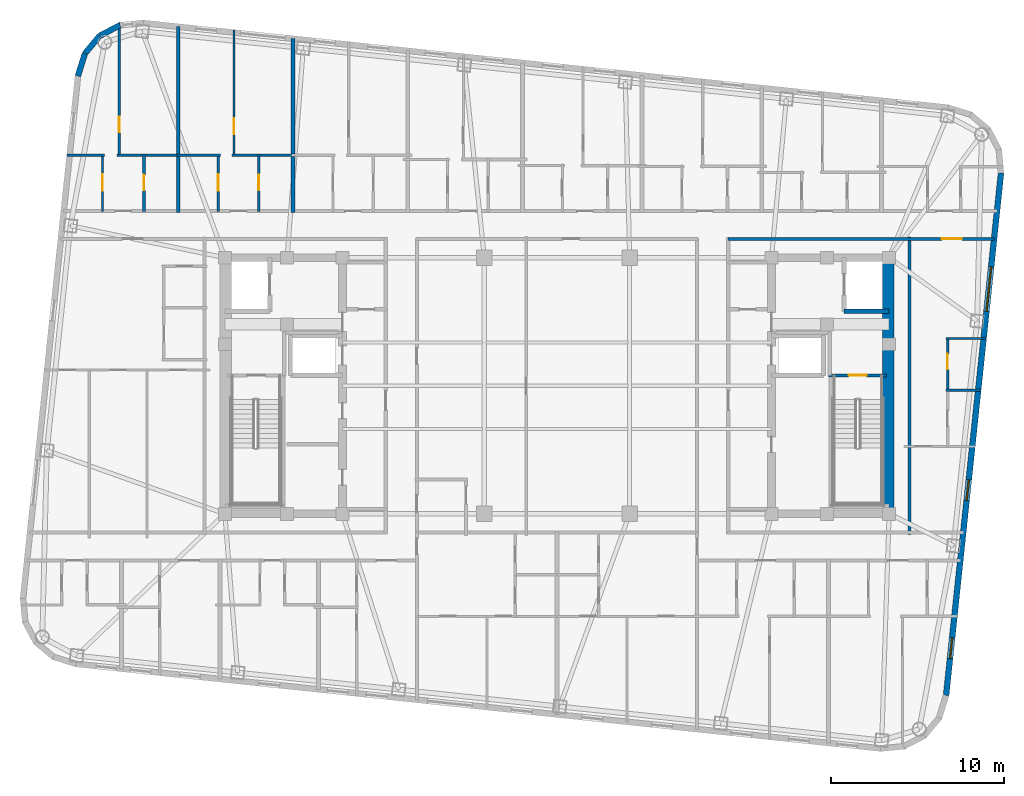
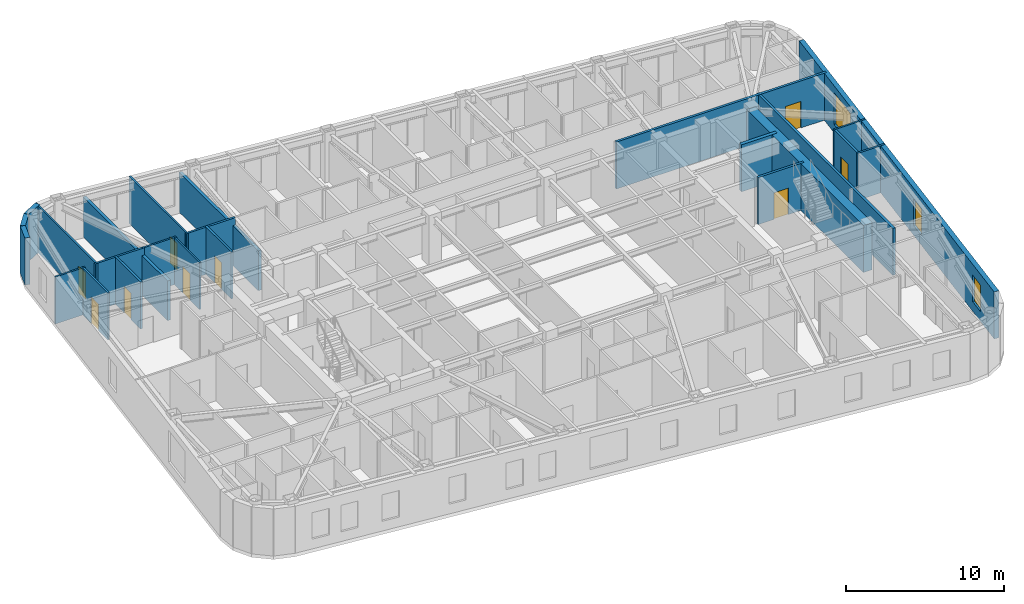
# One storey, part 7 of 11: 24 walls, 9 doors, 3 windows, 12 openings.
"""IFC4 building model written with IfcOpenShell, lengths in metres."""

from ifc_helpers import new_model, si_unit, direction, frame, frame_2d, origin, place, context, subcontext, project, spatial, rectangle, extrude, material, layer, layer_set, type_object, element, fill, save


model = new_model("IFC4")

# Units and contexts
model_context = context("Model", 3, precision=1e-05, world=origin(), true_north=direction((0.0, 1.0)))
body_context = subcontext(model_context, "Body", "Model", "MODEL_VIEW")
ifc_project = project(units=[si_unit("LENGTHUNIT", "METRE"), si_unit("AREAUNIT", "SQUARE_METRE"), si_unit("VOLUMEUNIT", "CUBIC_METRE"), si_unit("PLANEANGLEUNIT", "RADIAN"), si_unit("MASSUNIT", "GRAM", prefix="KILO")], contexts=[model_context])

# Site, building, storey
site_placement = place(None, origin())
site = spatial("IfcSite", under=ifc_project, at=site_placement, CompositionType="ELEMENT")
building_placement = place(site_placement, origin())
building = spatial("IfcBuilding", under=site, at=building_placement, Name="Voryun Gate Residences", CompositionType="ELEMENT")
storey_placement = place(building_placement, frame((0.0, 0.0, 299.0)))
storey = spatial("IfcBuildingStorey", under=building, at=storey_placement, Name="L74", CompositionType="ELEMENT", Elevation=299.0)

# Wall
ifc_material_1 = material(Name="Concrete C60/75", Category="concrete")
ifc_layer_1 = layer(ifc_material_1, 0.64990234375, Name="CW_CORE_650")
ifc_layer_set_1 = layer_set([ifc_layer_1], Name="Concrete C60/75")
wall_type_1 = type_object("IfcWallType", Name="CW_CORE_650", PredefinedType="SHEAR", material=ifc_layer_set_1)
wall_1_placement = place(storey_placement, frame((19.14501953125, -7.39990234375, 0.0), z_axis=(0.0, 0.0, 1.0), x_axis=(0.0, 1.0, 0.0)))
element("IfcWall", 1, at=wall_1_placement, inside=storey, type_object=wall_type_1, Name="L74 Core shear wall CW-L74-EE", PredefinedType="SHEAR", context=body_context, shape_type="SweptSolid", body=[
    extrude(rectangle(XDim=14.7998046875, YDim=0.64990234375, at=frame_2d((7.39990234375, 0.0))), origin(), (0.0, 0.0, 1.0), 3.635009765625),
])

# Wall, opening, door
ifc_material_2 = material(Name="Gypsum acoustic fireboard")
ifc_layer_2 = layer(ifc_material_2, 0.179931640625, Name="W_CORR_RATED_180")
ifc_layer_set_2 = layer_set([ifc_layer_2], Name="Gypsum acoustic fireboard")
wall_type_2 = type_object("IfcWallType", Name="W_CORR_RATED_180", PredefinedType="PARTITIONING", material=ifc_layer_set_2)
wall_2_placement = place(storey_placement, frame((15.699951171875, 0.60009765625, 0.0), z_axis=(0.0, 0.0, 1.0), x_axis=(1.0, 0.0, 0.0)))
wall_2 = element("IfcWall", 2, at=wall_2_placement, inside=storey, type_object=wall_type_2, Name="Partition wall WP-L74-STV-E", PredefinedType="PARTITIONING", context=body_context, shape_type="SweptSolid", body=[
    extrude(rectangle(XDim=3.360107421875, YDim=0.179931640625, at=frame_2d((1.68017578125, 0.0))), origin(), (0.0, 0.0, 1.0), 3.635009765625),
])
opening_1_placement = place(wall_2_placement, frame((1.155029296875, 0.0, 0.0)))
opening_1 = element("IfcOpeningElement", 3, at=opening_1_placement, cuts=wall_2, Name="Opening D-FD60-1", PredefinedType="OPENING", context=body_context, shape_type="SweptSolid", body=[
    extrude(rectangle(XDim=1.050048828125, YDim=2.050048828125, at=frame_2d((0.52490234375, 1.02490234375))), frame((0.0, 0.099853515625, 0.0), z_axis=(0.0, -1.0, 0.0), x_axis=(1.0, 0.0, 0.0)), (0.0, 0.0, 1.0), 0.199951171875),
])
ifc_material_3 = material(Name="Painted steel fire door", Category="steel")
door_type_1 = type_object("IfcDoorType", Name="DR_FD60_STAIR_1050", OperationType="NOTDEFINED", PredefinedType="DOOR", material=ifc_material_3)
door_1_placement = place(opening_1_placement, origin())
door_1 = element("IfcDoor", 4, at=door_1_placement, inside=storey, type_object=door_type_1, Name="Door DR-L74-ST-E", OperationType="SINGLE_SWING_RIGHT", OverallHeight=2.050048828125, OverallWidth=1.050048828125, PredefinedType="DOOR", context=body_context, shape_type="SweptSolid", body=[
    extrude(rectangle(XDim=1.050048828125, YDim=2.050048828125, at=frame_2d((0.52490234375, 1.02490234375))), frame((0.0, 0.02490234375, 0.0), z_axis=(0.0, -1.0, 0.0), x_axis=(1.0, 0.0, 0.0)), (0.0, 0.0, 1.0), 0.050048828125),
])
fill(opening_1, door_1)

wall_3_placement = place(storey_placement, frame((9.8798828125, 8.489990234375, 0.0), z_axis=(0.0, 0.0, 1.0), x_axis=(1.0, 0.0, 0.0)))
wall_3 = element("IfcWall", 5, at=wall_3_placement, inside=storey, type_object=wall_type_2, Name="Partition wall WP-L74-CWING-EN", PredefinedType="PARTITIONING", context=body_context, shape_type="SweptSolid", body=[
    extrude(rectangle(XDim=15.39013671875, YDim=0.179931640625, at=frame_2d((7.695068359375, 0.0))), origin(), (0.0, 0.0, 1.0), 3.635009765625),
])
opening_2_placement = place(wall_3_placement, frame((12.36962890625, 0.0, 0.0)))
opening_2 = element("IfcOpeningElement", 6, at=opening_2_placement, cuts=wall_3, Name="Opening D-UNIT-1", PredefinedType="OPENING", context=body_context, shape_type="SweptSolid", body=[
    extrude(rectangle(XDim=1.14990234375, YDim=2.050048828125, at=frame_2d((0.574951171875, 1.02490234375))), frame((0.0, 0.099853515625, 0.0), z_axis=(0.0, -1.0, 0.0), x_axis=(1.0, 0.0, 0.0)), (0.0, 0.0, 1.0), 0.199951171875),
])
ifc_material_4 = material(Name="Armoured timber-clad fire door", Category="wood")
door_type_2 = type_object("IfcDoorType", Name="DR_UNIT_ENTRY_1150", OperationType="NOTDEFINED", PredefinedType="DOOR", material=ifc_material_4)
door_2_placement = place(opening_2_placement, origin())
door_2 = element("IfcDoor", 7, at=door_2_placement, inside=storey, type_object=door_type_2, Name="Door DR-L74-EE1N", OperationType="SINGLE_SWING_LEFT", OverallHeight=2.050048828125, OverallWidth=1.14990234375, PredefinedType="DOOR", context=body_context, shape_type="SweptSolid", body=[
    extrude(rectangle(XDim=1.14990234375, YDim=2.050048828125, at=frame_2d((0.574951171875, 1.02490234375))), frame((0.0, 0.02490234375, 0.0), z_axis=(0.0, -1.0, 0.0), x_axis=(1.0, 0.0, 0.0)), (0.0, 0.0, 1.0), 0.050048828125),
])
fill(opening_2, door_2)

# Walls
wall_4_placement = place(storey_placement, frame((20.3701171875, -8.610107421875, 0.0), z_axis=(0.0, 0.0, 1.0), x_axis=(0.0, 1.0, 0.0)))
element("IfcWall", 8, at=wall_4_placement, inside=storey, type_object=wall_type_2, Name="Partition wall WP-L74-ECOR", PredefinedType="PARTITIONING", context=body_context, shape_type="SweptSolid", body=[
    extrude(rectangle(XDim=17.22021484375, YDim=0.179931640625, at=frame_2d((8.610107421875, 0.0))), origin(), (0.0, 0.0, 1.0), 3.635009765625),
])
ifc_material_5 = material(Name="Charcoal terracotta masonry", Category="masonry")
ifc_layer_3 = layer(ifc_material_5, 0.340087890625, Name="W_EXT_TERRACOTTA_340")
ifc_layer_set_3 = layer_set([ifc_layer_3], Name="Charcoal terracotta masonry")
wall_type_3 = type_object("IfcWallType", Name="W_EXT_TERRACOTTA_340", PredefinedType="ELEMENTEDWALL", material=ifc_layer_set_3)
wall_5_placement = place(storey_placement, frame((-27.69580078125, 17.904541015625, 0.0), z_axis=(0.0, 0.0, 1.0), x_axis=(0.296416228123, 0.955058856671, 0.0)))
element("IfcWall", 9, at=wall_5_placement, inside=storey, type_object=wall_type_3, Name="Exterior wall WEXT-L74-07", PredefinedType="ELEMENTEDWALL", context=body_context, shape_type="SweptSolid", body=[
    extrude(rectangle(XDim=1.35400390625, YDim=0.340087890625, at=frame_2d((0.677001953125, 0.0))), origin(), (0.0, 0.0, 1.0), 3.635009765625),
])
wall_6_placement = place(storey_placement, frame((-27.29443359375, 19.19775390625, 0.0), z_axis=(0.0, 0.0, 1.0), x_axis=(0.639501603217, 0.768789762863, 0.0)))
element("IfcWall", 10, at=wall_6_placement, inside=storey, type_object=wall_type_3, Name="Exterior wall WEXT-L74-08", PredefinedType="ELEMENTEDWALL", context=body_context, shape_type="SweptSolid", body=[
    extrude(rectangle(XDim=1.3369140625, YDim=0.340087890625, at=frame_2d((0.66845703125, 0.0))), origin(), (0.0, 0.0, 1.0), 3.635009765625),
])
wall_7_placement = place(storey_placement, frame((-26.439453125, 20.2255859375, 0.0), z_axis=(0.0, 0.0, 1.0), x_axis=(0.884922182678, 0.465738908193, 0.0)))
element("IfcWall", 11, at=wall_7_placement, inside=storey, type_object=wall_type_3, Name="Exterior wall WEXT-L74-09", PredefinedType="ELEMENTEDWALL", context=body_context, shape_type="SweptSolid", body=[
    extrude(rectangle(XDim=1.337158203125, YDim=0.340087890625, at=frame_2d((0.66845703125, 0.0))), origin(), (0.0, 0.0, 1.0), 3.635009765625),
])

# Wall, openings, windows
wall_8_placement = place(storey_placement, frame((25.670166015625, 12.295654296875, 0.0), z_axis=(0.0, 0.0, 1.0), x_axis=(-0.104533282919, -0.994521388791, 0.0)))
wall_8 = element("IfcWall", 12, at=wall_8_placement, inside=storey, type_object=wall_type_3, Name="Exterior wall WEXT-L74-16", PredefinedType="ELEMENTEDWALL", context=body_context, shape_type="SweptSolid", body=[
    extrude(rectangle(XDim=30.366455078125, YDim=0.340087890625, at=frame_2d((15.18310546875, 0.0))), origin(), (0.0, 0.0, 1.0), 3.635009765625),
])
opening_3_placement = place(wall_8_placement, frame((5.441650390625, 0.0, 0.64990234375)))
opening_3 = element("IfcOpeningElement", 13, at=opening_3_placement, cuts=wall_8, Name="Opening WN4", PredefinedType="OPENING", context=body_context, shape_type="SweptSolid", body=[
    extrude(rectangle(XDim=2.60009765625, YDim=2.449951171875, at=frame_2d((1.300048828125, 1.22509765625))), frame((0.0, 0.179931640625, 0.0), z_axis=(0.0, -1.0, 0.0), x_axis=(1.0, 0.0, 0.0)), (0.0, 0.0, 1.0), 0.360107421875),
])
opening_4_placement = place(wall_8_placement, frame((27.0166015625, 0.0, 0.75)))
opening_4 = element("IfcOpeningElement", 14, at=opening_4_placement, cuts=wall_8, Name="Opening WN6", PredefinedType="OPENING", context=body_context, shape_type="SweptSolid", body=[
    extrude(rectangle(XDim=1.199951171875, YDim=2.050048828125, at=frame_2d((0.60009765625, 1.02490234375))), frame((0.0, 0.179931640625, 0.0), z_axis=(0.0, -1.0, 0.0), x_axis=(1.0, 0.0, 0.0)), (0.0, 0.0, 1.0), 0.360107421875),
])
opening_5_placement = place(wall_8_placement, frame((17.828857421875, 0.0, 0.75)))
opening_5 = element("IfcOpeningElement", 15, at=opening_5_placement, cuts=wall_8, Name="Opening WN6", PredefinedType="OPENING", context=body_context, shape_type="SweptSolid", body=[
    extrude(rectangle(XDim=1.199951171875, YDim=2.050048828125, at=frame_2d((0.60009765625, 1.02490234375))), frame((0.0, 0.179931640625, 0.0), z_axis=(0.0, -1.0, 0.0), x_axis=(1.0, 0.0, 0.0)), (0.0, 0.0, 1.0), 0.360107421875),
])
ifc_material_6 = material(Name="Laminated low-E glass", Category="glass")
window_type_1 = type_object("IfcWindowType", Name="WN_PENT_TALL_2600", PartitioningType="SINGLE_PANEL", PredefinedType="WINDOW", material=ifc_material_6)
window_1_placement = place(opening_3_placement, origin())
window_1 = element("IfcWindow", 16, at=window_1_placement, inside=storey, type_object=window_type_1, Name="Window WN-WEXT-L74-16-01", OverallHeight=2.449951171875, OverallWidth=2.60009765625, PartitioningType="SINGLE_PANEL", PredefinedType="WINDOW", context=body_context, shape_type="SweptSolid", body=[
    extrude(rectangle(XDim=2.60009765625, YDim=2.449951171875, at=frame_2d((1.300048828125, 1.22509765625))), frame((0.0, 0.030029296875, 0.0), z_axis=(0.0, -1.0, 0.0), x_axis=(1.0, 0.0, 0.0)), (0.0, 0.0, 1.0), 0.06005859375),
])
fill(opening_3, window_1)
ifc_material_7 = material(Name="Laminated low-E glass", Category="glass")
window_type_2 = type_object("IfcWindowType", Name="WN_POD_SLOT_1200", PartitioningType="SINGLE_PANEL", PredefinedType="WINDOW", material=ifc_material_7)
window_2_placement = place(opening_4_placement, origin())
window_2 = element("IfcWindow", 17, at=window_2_placement, inside=storey, type_object=window_type_2, Name="Window WN-L74-DWFIX-24", OverallHeight=2.050048828125, OverallWidth=1.199951171875, PartitioningType="SINGLE_PANEL", PredefinedType="WINDOW", context=body_context, shape_type="SweptSolid", body=[
    extrude(rectangle(XDim=1.199951171875, YDim=2.050048828125, at=frame_2d((0.60009765625, 1.02490234375))), frame((0.0, 0.030029296875, 0.0), z_axis=(0.0, -1.0, 0.0), x_axis=(1.0, 0.0, 0.0)), (0.0, 0.0, 1.0), 0.06005859375),
])
fill(opening_4, window_2)
window_3_placement = place(opening_5_placement, origin())
window_3 = element("IfcWindow", 18, at=window_3_placement, inside=storey, type_object=window_type_2, Name="Window WN-L74-DWFIX-29", OverallHeight=2.050048828125, OverallWidth=1.199951171875, PartitioningType="SINGLE_PANEL", PredefinedType="WINDOW", context=body_context, shape_type="SweptSolid", body=[
    extrude(rectangle(XDim=1.199951171875, YDim=2.050048828125, at=frame_2d((0.60009765625, 1.02490234375))), frame((0.0, 0.030029296875, 0.0), z_axis=(0.0, -1.0, 0.0), x_axis=(1.0, 0.0, 0.0)), (0.0, 0.0, 1.0), 0.06005859375),
])
fill(opening_5, window_3)

# Walls
ifc_material_8 = material(Name="Concrete C40/50", Category="concrete")
ifc_layer_4 = layer(ifc_material_8, 0.219970703125, Name="W_PARTY_ACOUSTIC_220")
ifc_layer_set_4 = layer_set([ifc_layer_4], Name="Concrete C40/50")
wall_type_4 = type_object("IfcWallType", Name="W_PARTY_ACOUSTIC_220", PredefinedType="PARTITIONING", material=ifc_layer_set_4)
wall_9_placement = place(storey_placement, frame((-21.89111328125, 10.02001953125, 0.0), z_axis=(0.0, 0.0, 1.0), x_axis=(0.0, 1.0, 0.0)))
element("IfcWall", 19, at=wall_9_placement, inside=storey, type_object=wall_type_4, Name="Partition wall WP-L74-NPTY-1", PredefinedType="PARTITIONING", context=body_context, shape_type="SweptSolid", body=[
    extrude(rectangle(XDim=10.740234375, YDim=0.219970703125, at=frame_2d((5.3701171875, 0.0))), origin(), (0.0, 0.0, 1.0), 3.074951171875),
])
wall_10_placement = place(storey_placement, frame((-15.260009765625, 10.02001953125, 0.0), z_axis=(0.0, 0.0, 1.0), x_axis=(0.0, 1.0, 0.0)))
element("IfcWall", 20, at=wall_10_placement, inside=storey, type_object=wall_type_4, Name="Partition wall WP-L74-NPTY-2", PredefinedType="PARTITIONING", context=body_context, shape_type="SweptSolid", body=[
    extrude(rectangle(XDim=10.043212890625, YDim=0.219970703125, at=frame_2d((5.021484375, 0.0))), origin(), (0.0, 0.0, 1.0), 3.074951171875),
])
ifc_material_9 = material(Name="Concrete C50/60", Category="concrete")
ifc_layer_5 = layer(ifc_material_9, 0.25, Name="W_SHAFT_RC250")
ifc_layer_set_5 = layer_set([ifc_layer_5], Name="Concrete C50/60")
wall_type_5 = type_object("IfcWallType", Name="W_SHAFT_RC250", PredefinedType="SOLIDWALL", material=ifc_layer_set_5)
wall_11_placement = place(storey_placement, frame((16.60009765625, 4.300048828125, 0.0), z_axis=(0.0, 0.0, 1.0), x_axis=(1.0, 0.0, 0.0)))
element("IfcWall", 21, at=wall_11_placement, inside=storey, type_object=wall_type_5, Name="Lift shaft wall WSH-L74-EL-FF-E1-S", PredefinedType="SOLIDWALL", context=body_context, shape_type="SweptSolid", body=[
    extrude(rectangle(XDim=2.599853515625, YDim=0.25, at=frame_2d((1.2998046875, 0.0))), origin(), (0.0, 0.0, 1.0), 3.635009765625),
])

# Wall, opening, door
ifc_material_10 = material(Name="Gypsum acoustic partition")
ifc_layer_6 = layer(ifc_material_10, 0.125, Name="W_UNIT_PART_125")
ifc_layer_set_6 = layer_set([ifc_layer_6], Name="Gypsum acoustic partition")
wall_type_6 = type_object("IfcWallType", Name="W_UNIT_PART_125", PredefinedType="PARTITIONING", material=ifc_layer_set_6)
wall_12_placement = place(storey_placement, frame((-25.301025390625, 13.239990234375, 0.0), z_axis=(0.0, 0.0, 1.0), x_axis=(0.0, 1.0, 0.0)))
wall_12 = element("IfcWall", 22, at=wall_12_placement, inside=storey, type_object=wall_type_6, Name="Partition wall WP-L74-N1-OVR", PredefinedType="PARTITIONING", context=body_context, shape_type="SweptSolid", body=[
    extrude(rectangle(XDim=7.751220703125, YDim=0.125, at=frame_2d((3.87548828125, 0.0))), origin(), (0.0, 0.0, 1.0), 3.635009765625),
])
opening_6_placement = place(wall_12_placement, frame((1.410400390625, 0.0, 0.0)))
opening_6 = element("IfcOpeningElement", 23, at=opening_6_placement, cuts=wall_12, Name="Opening D-INT-2", PredefinedType="OPENING", context=body_context, shape_type="SweptSolid", body=[
    extrude(rectangle(XDim=0.89990234375, YDim=2.050048828125, at=frame_2d((0.449951171875, 1.02490234375))), frame((0.0, 0.072509765625, 0.0), z_axis=(0.0, -1.0, 0.0), x_axis=(1.0, 0.0, 0.0)), (0.0, 0.0, 1.0), 0.14501953125),
])
ifc_material_11 = material(Name="Architectural oak veneer")
door_type_3 = type_object("IfcDoorType", Name="DR_INT_BATH_900", OperationType="NOTDEFINED", PredefinedType="DOOR", material=ifc_material_11)
door_3_placement = place(opening_6_placement, origin())
door_3 = element("IfcDoor", 24, at=door_3_placement, inside=storey, type_object=door_type_3, Name="Door DR-L74-N1-DMB", OperationType="SINGLE_SWING_RIGHT", OverallHeight=2.050048828125, OverallWidth=0.89990234375, PredefinedType="DOOR", context=body_context, shape_type="SweptSolid", body=[
    extrude(rectangle(XDim=0.89990234375, YDim=2.050048828125, at=frame_2d((0.449951171875, 1.02490234375))), frame((0.0, 0.02490234375, 0.0), z_axis=(0.0, -1.0, 0.0), x_axis=(1.0, 0.0, 0.0)), (0.0, 0.0, 1.0), 0.050048828125),
])
fill(opening_6, door_3)

wall_13_placement = place(storey_placement, frame((-26.27099609375, 10.080078125, 0.0), z_axis=(0.0, 0.0, 1.0), x_axis=(0.0, 1.0, 0.0)))
wall_13 = element("IfcWall", 25, at=wall_13_placement, inside=storey, type_object=wall_type_6, Name="Partition wall WP-L74-N1-IVK", PredefinedType="PARTITIONING", context=body_context, shape_type="SweptSolid", body=[
    extrude(rectangle(XDim=3.31982421875, YDim=0.125, at=frame_2d((1.659912109375, 0.0))), origin(), (0.0, 0.0, 1.0), 3.635009765625),
])
opening_7_placement = place(wall_13_placement, frame((1.18505859375, 0.0, 0.0)))
opening_7 = element("IfcOpeningElement", 26, at=opening_7_placement, cuts=wall_13, Name="Opening D-INT-1", PredefinedType="OPENING", context=body_context, shape_type="SweptSolid", body=[
    extrude(rectangle(XDim=0.949951171875, YDim=2.050048828125, at=frame_2d((0.47509765625, 1.02490234375))), frame((0.0, 0.072509765625, 0.0), z_axis=(0.0, -1.0, 0.0), x_axis=(1.0, 0.0, 0.0)), (0.0, 0.0, 1.0), 0.14501953125),
])
ifc_material_12 = material(Name="Architectural oak veneer")
door_type_4 = type_object("IfcDoorType", Name="DR_INT_ROOM_950", OperationType="NOTDEFINED", PredefinedType="DOOR", material=ifc_material_12)
door_4_placement = place(opening_7_placement, origin())
door_4 = element("IfcDoor", 27, at=door_4_placement, inside=storey, type_object=door_type_4, Name="Door DR-L74-N1-DK", OperationType="SINGLE_SWING_LEFT", OverallHeight=2.050048828125, OverallWidth=0.949951171875, PredefinedType="DOOR", context=body_context, shape_type="SweptSolid", body=[
    extrude(rectangle(XDim=0.949951171875, YDim=2.050048828125, at=frame_2d((0.47509765625, 1.02490234375))), frame((0.0, 0.02490234375, 0.0), z_axis=(0.0, -1.0, 0.0), x_axis=(1.0, 0.0, 0.0)), (0.0, 0.0, 1.0), 0.050048828125),
])
fill(opening_7, door_4)

# Wall
wall_14_placement = place(storey_placement, frame((-28.32861328125, 13.320068359375, 0.0), z_axis=(0.0, 0.0, 1.0), x_axis=(1.0, 0.0, 0.0)))
element("IfcWall", 28, at=wall_14_placement, inside=storey, type_object=wall_type_6, Name="Partition wall WP-L74-N1-HZK", PredefinedType="PARTITIONING", context=body_context, shape_type="SweptSolid", body=[
    extrude(rectangle(XDim=2.177734375, YDim=0.125, at=frame_2d((1.0888671875, 0.0))), origin(), (0.0, 0.0, 1.0), 3.635009765625),
])

# Wall, opening, door
wall_15_placement = place(storey_placement, frame((-18.669921875, 13.239990234375, 0.0), z_axis=(0.0, 0.0, 1.0), x_axis=(0.0, 1.0, 0.0)))
wall_15 = element("IfcWall", 29, at=wall_15_placement, inside=storey, type_object=wall_type_6, Name="Partition wall WP-L74-N2-OVR", PredefinedType="PARTITIONING", context=body_context, shape_type="SweptSolid", body=[
    extrude(rectangle(XDim=7.33251953125, YDim=0.125, at=frame_2d((3.666259765625, 0.0))), origin(), (0.0, 0.0, 1.0), 3.635009765625),
])
opening_8_placement = place(wall_15_placement, frame((1.309814453125, 0.0, 0.0)))
opening_8 = element("IfcOpeningElement", 30, at=opening_8_placement, cuts=wall_15, Name="Opening D-INT-2", PredefinedType="OPENING", context=body_context, shape_type="SweptSolid", body=[
    extrude(rectangle(XDim=0.89990234375, YDim=2.050048828125, at=frame_2d((0.449951171875, 1.02490234375))), frame((0.0, 0.072509765625, 0.0), z_axis=(0.0, -1.0, 0.0), x_axis=(1.0, 0.0, 0.0)), (0.0, 0.0, 1.0), 0.14501953125),
])
door_5_placement = place(opening_8_placement, origin())
door_5 = element("IfcDoor", 31, at=door_5_placement, inside=storey, type_object=door_type_3, Name="Door DR-L74-N2-DMB", OperationType="SINGLE_SWING_RIGHT", OverallHeight=2.050048828125, OverallWidth=0.89990234375, PredefinedType="DOOR", context=body_context, shape_type="SweptSolid", body=[
    extrude(rectangle(XDim=0.89990234375, YDim=2.050048828125, at=frame_2d((0.449951171875, 1.02490234375))), frame((0.0, 0.02490234375, 0.0), z_axis=(0.0, -1.0, 0.0), x_axis=(1.0, 0.0, 0.0)), (0.0, 0.0, 1.0), 0.050048828125),
])
fill(opening_8, door_5)

wall_16_placement = place(storey_placement, frame((-19.5810546875, 10.080078125, 0.0), z_axis=(0.0, 0.0, 1.0), x_axis=(0.0, 1.0, 0.0)))
wall_16 = element("IfcWall", 32, at=wall_16_placement, inside=storey, type_object=wall_type_6, Name="Partition wall WP-L74-N2-IVK", PredefinedType="PARTITIONING", context=body_context, shape_type="SweptSolid", body=[
    extrude(rectangle(XDim=3.31982421875, YDim=0.125, at=frame_2d((1.659912109375, 0.0))), origin(), (0.0, 0.0, 1.0), 3.635009765625),
])
opening_9_placement = place(wall_16_placement, frame((1.18505859375, 0.0, 0.0)))
opening_9 = element("IfcOpeningElement", 33, at=opening_9_placement, cuts=wall_16, Name="Opening D-INT-1", PredefinedType="OPENING", context=body_context, shape_type="SweptSolid", body=[
    extrude(rectangle(XDim=0.949951171875, YDim=2.050048828125, at=frame_2d((0.47509765625, 1.02490234375))), frame((0.0, 0.072509765625, 0.0), z_axis=(0.0, -1.0, 0.0), x_axis=(1.0, 0.0, 0.0)), (0.0, 0.0, 1.0), 0.14501953125),
])
door_6_placement = place(opening_9_placement, origin())
door_6 = element("IfcDoor", 34, at=door_6_placement, inside=storey, type_object=door_type_4, Name="Door DR-L74-N2-DK", OperationType="SINGLE_SWING_LEFT", OverallHeight=2.050048828125, OverallWidth=0.949951171875, PredefinedType="DOOR", context=body_context, shape_type="SweptSolid", body=[
    extrude(rectangle(XDim=0.949951171875, YDim=2.050048828125, at=frame_2d((0.47509765625, 1.02490234375))), frame((0.0, 0.02490234375, 0.0), z_axis=(0.0, -1.0, 0.0), x_axis=(1.0, 0.0, 0.0)), (0.0, 0.0, 1.0), 0.050048828125),
])
fill(opening_9, door_6)

# Walls
wall_17_placement = place(storey_placement, frame((-21.966064453125, 13.320068359375, 0.0), z_axis=(0.0, 0.0, 1.0), x_axis=(1.0, 0.0, 0.0)))
element("IfcWall", 35, at=wall_17_placement, inside=storey, type_object=wall_type_6, Name="Partition wall WP-L74-N2-HZK", PredefinedType="PARTITIONING", context=body_context, shape_type="SweptSolid", body=[
    extrude(rectangle(XDim=2.505126953125, YDim=0.125, at=frame_2d((1.25244140625, 0.0))), origin(), (0.0, 0.0, 1.0), 3.635009765625),
])
wall_18_placement = place(storey_placement, frame((22.498046875, 2.739990234375, 0.0), z_axis=(0.0, 0.0, 1.0), x_axis=(1.0, 0.0, 0.0)))
element("IfcWall", 36, at=wall_18_placement, inside=storey, type_object=wall_type_6, Name="Partition wall WP-L74-E1-HZ1", PredefinedType="PARTITIONING", context=body_context, shape_type="SweptSolid", body=[
    extrude(rectangle(XDim=2.318603515625, YDim=0.125, at=frame_2d((1.1591796875, 0.0))), origin(), (0.0, 0.0, 1.0), 3.635009765625),
])
ifc_material_13 = material(Name="Gypsum moisture-resistant partition")
ifc_layer_7 = layer(ifc_material_13, 0.14990234375, Name="W_WET_PLUMB_150")
ifc_layer_set_7 = layer_set([ifc_layer_7], Name="Gypsum moisture-resistant partition")
wall_type_7 = type_object("IfcWallType", Name="W_WET_PLUMB_150", PredefinedType="PLUMBINGWALL", material=ifc_layer_set_7)
wall_19_placement = place(storey_placement, frame((-25.4208984375, 13.320068359375, 0.0), z_axis=(0.0, 0.0, 1.0), x_axis=(1.0, 0.0, 0.0)))
element("IfcWall", 37, at=wall_19_placement, inside=storey, type_object=wall_type_7, Name="Partition wall WP-L74-N1-HZB", PredefinedType="PLUMBINGWALL", context=body_context, shape_type="SweptSolid", body=[
    extrude(rectangle(XDim=3.60498046875, YDim=0.14990234375, at=frame_2d((1.802490234375, 0.0))), origin(), (0.0, 0.0, 1.0), 3.635009765625),
])

# Wall, opening, door
wall_20_placement = place(storey_placement, frame((-23.87109375, 10.080078125, 0.0), z_axis=(0.0, 0.0, 1.0), x_axis=(0.0, 1.0, 0.0)))
wall_20 = element("IfcWall", 38, at=wall_20_placement, inside=storey, type_object=wall_type_7, Name="Partition wall WP-L74-N1-IVB", PredefinedType="PLUMBINGWALL", context=body_context, shape_type="SweptSolid", body=[
    extrude(rectangle(XDim=3.31982421875, YDim=0.14990234375, at=frame_2d((1.659912109375, 0.0))), origin(), (0.0, 0.0, 1.0), 3.635009765625),
])
opening_10_placement = place(wall_20_placement, frame((1.2099609375, 0.0, 0.0)))
opening_10 = element("IfcOpeningElement", 39, at=opening_10_placement, cuts=wall_20, Name="Opening D-INT-2", PredefinedType="OPENING", context=body_context, shape_type="SweptSolid", body=[
    extrude(rectangle(XDim=0.89990234375, YDim=2.050048828125, at=frame_2d((0.449951171875, 1.02490234375))), frame((0.0, 0.0849609375, 0.0), z_axis=(0.0, -1.0, 0.0), x_axis=(1.0, 0.0, 0.0)), (0.0, 0.0, 1.0), 0.169921875),
])
door_7_placement = place(opening_10_placement, origin())
door_7 = element("IfcDoor", 40, at=door_7_placement, inside=storey, type_object=door_type_3, Name="Door DR-L74-N1-DB", OperationType="SINGLE_SWING_RIGHT", OverallHeight=2.050048828125, OverallWidth=0.89990234375, PredefinedType="DOOR", context=body_context, shape_type="SweptSolid", body=[
    extrude(rectangle(XDim=0.89990234375, YDim=2.050048828125, at=frame_2d((0.449951171875, 1.02490234375))), frame((0.0, 0.02490234375, 0.0), z_axis=(0.0, -1.0, 0.0), x_axis=(1.0, 0.0, 0.0)), (0.0, 0.0, 1.0), 0.050048828125),
])
fill(opening_10, door_7)

# Wall
wall_21_placement = place(storey_placement, frame((-18.7900390625, 13.320068359375, 0.0), z_axis=(0.0, 0.0, 1.0), x_axis=(1.0, 0.0, 0.0)))
element("IfcWall", 41, at=wall_21_placement, inside=storey, type_object=wall_type_7, Name="Partition wall WP-L74-N2-HZB", PredefinedType="PLUMBINGWALL", context=body_context, shape_type="SweptSolid", body=[
    extrude(rectangle(XDim=3.60498046875, YDim=0.14990234375, at=frame_2d((1.802490234375, 0.0))), origin(), (0.0, 0.0, 1.0), 3.635009765625),
])

# Wall, opening, door
wall_22_placement = place(storey_placement, frame((-17.239990234375, 10.080078125, 0.0), z_axis=(0.0, 0.0, 1.0), x_axis=(0.0, 1.0, 0.0)))
wall_22 = element("IfcWall", 42, at=wall_22_placement, inside=storey, type_object=wall_type_7, Name="Partition wall WP-L74-N2-IVB", PredefinedType="PLUMBINGWALL", context=body_context, shape_type="SweptSolid", body=[
    extrude(rectangle(XDim=3.31982421875, YDim=0.14990234375, at=frame_2d((1.659912109375, 0.0))), origin(), (0.0, 0.0, 1.0), 3.635009765625),
])
opening_11_placement = place(wall_22_placement, frame((1.2099609375, 0.0, 0.0)))
opening_11 = element("IfcOpeningElement", 43, at=opening_11_placement, cuts=wall_22, Name="Opening D-INT-2", PredefinedType="OPENING", context=body_context, shape_type="SweptSolid", body=[
    extrude(rectangle(XDim=0.89990234375, YDim=2.050048828125, at=frame_2d((0.449951171875, 1.02490234375))), frame((0.0, 0.0849609375, 0.0), z_axis=(0.0, -1.0, 0.0), x_axis=(1.0, 0.0, 0.0)), (0.0, 0.0, 1.0), 0.169921875),
])
door_8_placement = place(opening_11_placement, origin())
door_8 = element("IfcDoor", 44, at=door_8_placement, inside=storey, type_object=door_type_3, Name="Door DR-L74-N2-DB", OperationType="SINGLE_SWING_RIGHT", OverallHeight=2.050048828125, OverallWidth=0.89990234375, PredefinedType="DOOR", context=body_context, shape_type="SweptSolid", body=[
    extrude(rectangle(XDim=0.89990234375, YDim=2.050048828125, at=frame_2d((0.449951171875, 1.02490234375))), frame((0.0, 0.02490234375, 0.0), z_axis=(0.0, -1.0, 0.0), x_axis=(1.0, 0.0, 0.0)), (0.0, 0.0, 1.0), 0.050048828125),
])
fill(opening_11, door_8)

# Wall
wall_23_placement = place(storey_placement, frame((22.498046875, -0.260009765625, 0.0), z_axis=(0.0, 0.0, 1.0), x_axis=(1.0, 0.0, 0.0)))
element("IfcWall", 45, at=wall_23_placement, inside=storey, type_object=wall_type_7, Name="Partition wall WP-L74-E1-HZ2", PredefinedType="PLUMBINGWALL", context=body_context, shape_type="SweptSolid", body=[
    extrude(rectangle(XDim=2.003173828125, YDim=0.14990234375, at=frame_2d((1.00146484375, 0.0))), origin(), (0.0, 0.0, 1.0), 3.635009765625),
])

# Wall, opening, door
wall_24_placement = place(storey_placement, frame((22.577880859375, -0.300048828125, 0.0), z_axis=(0.0, 0.0, 1.0), x_axis=(0.0, 1.0, 0.0)))
wall_24 = element("IfcWall", 46, at=wall_24_placement, inside=storey, type_object=wall_type_7, Name="Partition wall WP-L74-E1-VKB2", PredefinedType="PLUMBINGWALL", context=body_context, shape_type="SweptSolid", body=[
    extrude(rectangle(XDim=3.080078125, YDim=0.14990234375, at=frame_2d((1.5400390625, 0.0))), origin(), (0.0, 0.0, 1.0), 3.635009765625),
])
opening_12_placement = place(wall_24_placement, frame((1.243896484375, 0.0, 0.0)))
opening_12 = element("IfcOpeningElement", 47, at=opening_12_placement, cuts=wall_24, Name="Opening D-INT-2", PredefinedType="OPENING", context=body_context, shape_type="SweptSolid", body=[
    extrude(rectangle(XDim=0.89990234375, YDim=2.050048828125, at=frame_2d((0.449951171875, 1.02490234375))), frame((0.0, 0.0849609375, 0.0), z_axis=(0.0, -1.0, 0.0), x_axis=(1.0, 0.0, 0.0)), (0.0, 0.0, 1.0), 0.169921875),
])
door_9_placement = place(opening_12_placement, origin())
door_9 = element("IfcDoor", 48, at=door_9_placement, inside=storey, type_object=door_type_3, Name="Door DR-L74-E1-DK", OperationType="SINGLE_SWING_RIGHT", OverallHeight=2.050048828125, OverallWidth=0.89990234375, PredefinedType="DOOR", context=body_context, shape_type="SweptSolid", body=[
    extrude(rectangle(XDim=0.89990234375, YDim=2.050048828125, at=frame_2d((0.449951171875, 1.02490234375))), frame((0.0, 0.02490234375, 0.0), z_axis=(0.0, -1.0, 0.0), x_axis=(1.0, 0.0, 0.0)), (0.0, 0.0, 1.0), 0.050048828125),
])
fill(opening_12, door_9)

save(model, "model.ifc")
